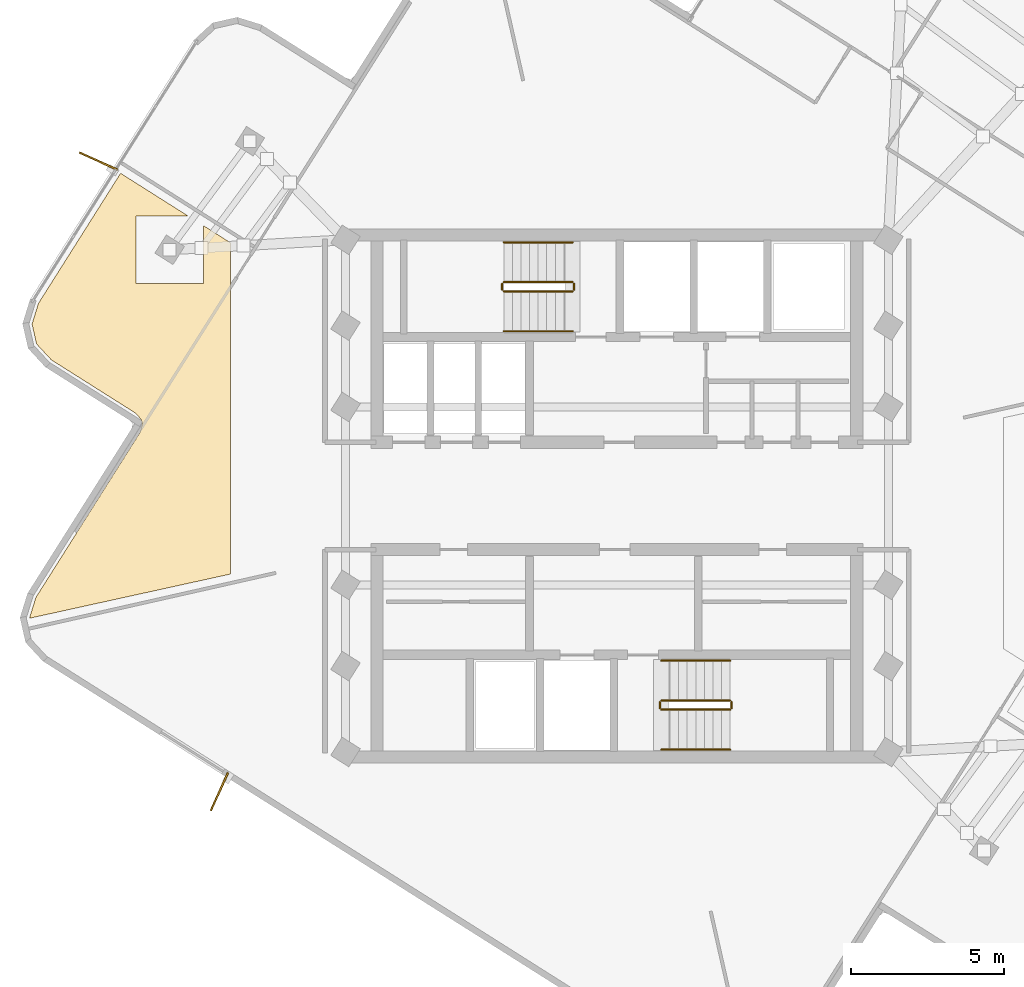
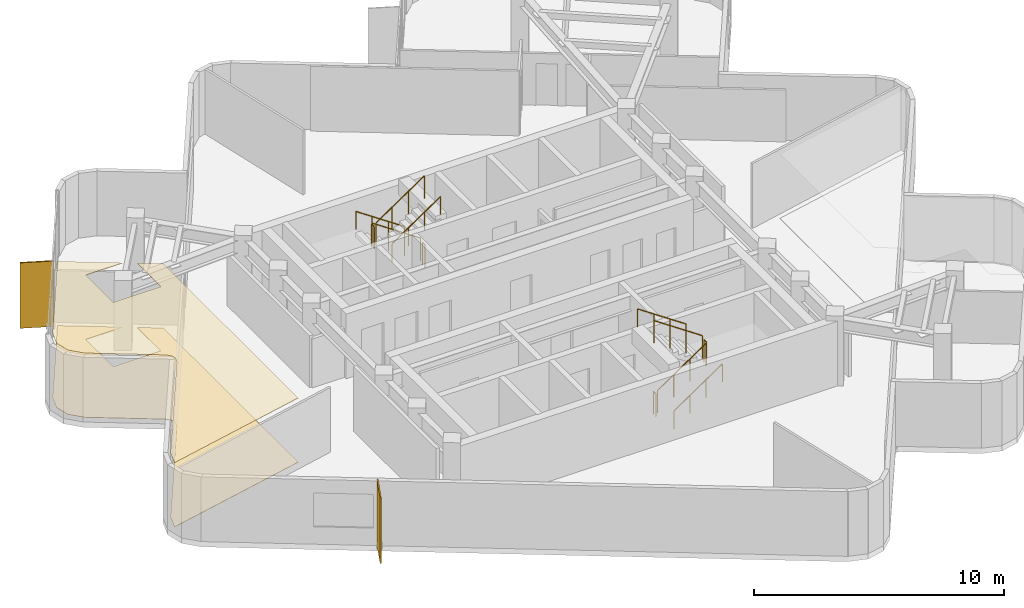
# One storey, part 9 of 10: 12 railings, 2 coverings, 2 shading devices.
"""IFC4 building model written with IfcOpenShell, lengths in metres."""

from ifc_helpers import new_model, si_unit, direction, frame, origin, origin_2d, place, context, subcontext, project, spatial, polyline, rectangle, circle, outline, extrude, material, layer, layer_set, type_object, element, save


model = new_model("IFC4")

# Units and contexts
model_context = context("Model", 3, precision=1e-05, world=origin(), true_north=direction((0.0, 1.0)))
body_context = subcontext(model_context, "Body", "Model", "MODEL_VIEW")
ifc_project = project(units=[si_unit("LENGTHUNIT", "METRE"), si_unit("AREAUNIT", "SQUARE_METRE"), si_unit("VOLUMEUNIT", "CUBIC_METRE"), si_unit("PLANEANGLEUNIT", "RADIAN"), si_unit("MASSUNIT", "GRAM", prefix="KILO")], contexts=[model_context])

# Site, building, storey
site_placement = place(None, origin())
site = spatial("IfcSite", under=ifc_project, at=site_placement, CompositionType="ELEMENT")
building_placement = place(site_placement, origin())
building = spatial("IfcBuilding", under=site, at=building_placement, Name="Solmarez Civic Tower", CompositionType="ELEMENT")
storey_placement = place(building_placement, frame((0.0, 0.0, 274.860107421875)))
storey = spatial("IfcBuildingStorey", under=building, at=storey_placement, Name="L74", CompositionType="ELEMENT", Elevation=274.860107421875)

# Coverings
ifc_material_1 = material(Name="Perforated Mineral-Fibre Acoustic Ceiling")
ifc_layer_1 = layer(ifc_material_1, 0.02490234375)
ifc_layer_set_1 = layer_set([ifc_layer_1], Name="Perforated Mineral-Fibre Acoustic Ceiling")
covering_type_1 = type_object("IfcCoveringType", Name="COV-CEIL-ACOUSTIC", PredefinedType="CEILING", material=ifc_layer_set_1)
covering_1_placement = place(storey_placement, frame((0.0, 0.0, 3.135009765625)))
element("IfcCovering", 1, at=covering_1_placement, inside=storey, type_object=covering_type_1, Name="L74 Suspended Acoustic Ceiling 1", PredefinedType="CEILING", context=body_context, shape_type="SweptSolid", body=[
    extrude(outline(polyline([(-12.60009765625, -2.547119140625), (-12.60009765625, 8.2548828125), (-13.48291015625, 8.81298828125), (-13.48291015625, 6.926025390625), (-15.68310546875, 6.926025390625), (-15.68310546875, 9.1259765625), (-13.97900390625, 9.1259765625), (-16.18408203125, 10.51904296875), (-18.860107421875, 6.282958984375), (-19.070068359375, 5.60595703125), (-18.923095703125, 4.955078125), (-18.44189453125, 4.43505859375), (-15.738037109375, 2.72607421875), (-15.73291015625, 2.722900390625), (-15.72705078125, 2.718994140625), (-15.7099609375, 2.7060546875), (-15.693115234375, 2.69189453125), (-15.68798828125, 2.68701171875), (-15.68310546875, 2.681884765625), (-15.677978515625, 2.676025390625), (-15.56103515625, 2.550048828125), (-15.552978515625, 2.541015625), (-15.548095703125, 2.534912109375), (-15.533935546875, 2.51611328125), (-15.530029296875, 2.510009765625), (-15.52197265625, 2.4970703125), (-15.51806640625, 2.489990234375), (-15.507080078125, 2.468017578125), (-15.50390625, 2.4609375), (-15.493896484375, 2.43408203125), (-15.491943359375, 2.427001953125), (-15.489990234375, 2.419921875), (-15.486083984375, 2.404052734375), (-15.48388671875, 2.386962890625), (-15.48291015625, 2.37890625), (-15.48095703125, 2.35205078125), (-15.48095703125, 2.3369140625), (-15.48291015625, 2.31005859375), (-15.48388671875, 2.302001953125), (-15.486083984375, 2.284912109375), (-15.489990234375, 2.26904296875), (-15.491943359375, 2.261962890625), (-15.493896484375, 2.257080078125), (-15.544921875, 2.093017578125), (-15.552978515625, 2.071044921875), (-15.555908203125, 2.06396484375), (-15.56103515625, 2.052978515625), (-15.56396484375, 2.047119140625), (-15.56689453125, 2.041015625), (-15.577880859375, 2.02197265625), (-18.943115234375, -3.304931640625), (-19.153076171875, -3.98095703125), (-19.152099609375, -3.988037109375), (-12.60009765625, -2.547119140625)])), origin(), (0.0, 0.0, 1.0), 0.02490234375),
])
ifc_material_2 = material(Name="Polished Tropical Stone Terrazzo Flooring", Category="masonry")
ifc_layer_2 = layer(ifc_material_2, 0.02001953125)
ifc_layer_set_2 = layer_set([ifc_layer_2], Name="Polished Tropical Stone Terrazzo Flooring")
covering_type_2 = type_object("IfcCoveringType", Name="COV-FLOOR-TERRAZZO", PredefinedType="FLOORING", material=ifc_layer_set_2)
covering_2_placement = place(storey_placement, origin())
element("IfcCovering", 2, at=covering_2_placement, inside=storey, type_object=covering_type_2, Name="L74 Terrazzo Floor Finish 1", PredefinedType="FLOORING", context=body_context, shape_type="SweptSolid", body=[
    extrude(outline(polyline([(-12.60009765625, -2.547119140625), (-12.60009765625, 8.2548828125), (-13.48291015625, 8.81298828125), (-13.48291015625, 6.926025390625), (-15.68310546875, 6.926025390625), (-15.68310546875, 9.1259765625), (-13.97900390625, 9.1259765625), (-16.18408203125, 10.51904296875), (-18.860107421875, 6.282958984375), (-19.070068359375, 5.60595703125), (-18.923095703125, 4.955078125), (-18.44189453125, 4.43505859375), (-15.738037109375, 2.72607421875), (-15.73291015625, 2.722900390625), (-15.72705078125, 2.718994140625), (-15.7099609375, 2.7060546875), (-15.693115234375, 2.69189453125), (-15.68798828125, 2.68701171875), (-15.68310546875, 2.681884765625), (-15.677978515625, 2.676025390625), (-15.56103515625, 2.550048828125), (-15.552978515625, 2.541015625), (-15.548095703125, 2.534912109375), (-15.533935546875, 2.51611328125), (-15.530029296875, 2.510009765625), (-15.52197265625, 2.4970703125), (-15.51806640625, 2.489990234375), (-15.507080078125, 2.468017578125), (-15.50390625, 2.4609375), (-15.493896484375, 2.43408203125), (-15.491943359375, 2.427001953125), (-15.489990234375, 2.419921875), (-15.486083984375, 2.404052734375), (-15.48388671875, 2.386962890625), (-15.48291015625, 2.37890625), (-15.48095703125, 2.35205078125), (-15.48095703125, 2.3369140625), (-15.48291015625, 2.31005859375), (-15.48388671875, 2.302001953125), (-15.486083984375, 2.284912109375), (-15.489990234375, 2.26904296875), (-15.491943359375, 2.261962890625), (-15.493896484375, 2.257080078125), (-15.544921875, 2.093017578125), (-15.552978515625, 2.071044921875), (-15.555908203125, 2.06396484375), (-15.56103515625, 2.052978515625), (-15.56396484375, 2.047119140625), (-15.56689453125, 2.041015625), (-15.577880859375, 2.02197265625), (-18.943115234375, -3.304931640625), (-19.153076171875, -3.98095703125), (-19.152099609375, -3.988037109375), (-12.60009765625, -2.547119140625)])), origin(), (0.0, 0.0, 1.0), 0.019775390625),
])

# Shading devices
ifc_material_3 = material(Name="Bronze Anodised Aluminium EN AW-6063 T6", Category="aluminium")
ifc_layer_3 = layer(ifc_material_3, 0.054931640625)
ifc_layer_set_3 = layer_set([ifc_layer_3], Name="Bronze Anodised Aluminium EN AW-6063 T6")
shading_device_type = type_object("IfcShadingDeviceType", Name="FIN-BRONZE-Z56", PredefinedType="USERDEFINED", material=ifc_layer_set_3)
for number, where, z_axis, x_axis, name in (
    (3, (-12.9619140625, -9.64306640625, -0.0400390625), (0.0, 0.0, 1.0), (-0.411959705112, -0.911202063959, 0.0), "L74 Anodised Bronze Solar Fin FIN-L74-01"),
    (4, (-16.907958984375, 10.9169921875, -0.0400390625), (0.0, 0.0, 1.0), (-0.911180492551, 0.412007414976, 0.0), "L74 Anodised Bronze Solar Fin FIN-L74-02"),
):
    element("IfcShadingDevice", number, at=place(storey_placement, frame(where, z_axis=z_axis, x_axis=x_axis)), inside=storey, type_object=shading_device_type, Name=name, ObjectType="FIN", PredefinedType="USERDEFINED", context=body_context, shape_type="SweptSolid", body=[
        extrude(rectangle(XDim=1.35009765625, YDim=0.054931640625, at=origin_2d()), origin(), (0.0, 0.0, 1.0), 3.199951171875),
    ])

# Railings
ifc_material_4 = material(Name="Painted Steel Stairwell Safety Guard", Category="steel")
railing_type_1 = type_object("IfcRailingType", Name="GUARD-STAIR-1120", PredefinedType="BALUSTRADE", material=ifc_material_4)
railing_1_placement = place(storey_placement, frame((-1.449951171875, 6.969970703125, 0.18994140625)))
element("IfcRailing", 5, at=railing_1_placement, inside=storey, type_object=railing_type_1, Name="L74 ST-1 stair guard 1", PredefinedType="BALUSTRADE", context=body_context, shape_type="SweptSolid", body=[
    extrude(circle(Radius=0.02392578125, at=origin_2d()), frame((0.0, 0.0, 1.09619140625), z_axis=(-0.827471284677, 0.0, 0.561508034703), x_axis=(0.0, -1.0, 0.0)), (0.0, 0.0, 1.0), 2.70703125),
    extrude(circle(Radius=0.02099609375, at=origin_2d()), origin(), (0.0, 0.0, 1.0), 1.072021484375),
    extrude(circle(Radius=0.02099609375, at=origin_2d()), frame((-0.74658203125, 0.0, 0.506591796875)), (0.0, 0.0, 1.0), 1.072021484375),
    extrude(circle(Radius=0.02099609375, at=origin_2d()), frame((-1.493408203125, 0.0, 1.013427734375)), (0.0, 0.0, 1.0), 1.072021484375),
    extrude(circle(Radius=0.02099609375, at=origin_2d()), frame((-2.239990234375, 0.0, 1.52001953125)), (0.0, 0.0, 1.0), 1.072021484375),
])
railing_2_placement = place(storey_placement, frame((-3.739990234375, 6.919921875, 1.7099609375)))
element("IfcRailing", 6, at=railing_2_placement, inside=storey, type_object=railing_type_1, Name="L74 ST-1 stair guard 2", PredefinedType="BALUSTRADE", context=body_context, shape_type="SweptSolid", body=[
    extrude(circle(Radius=0.02392578125, at=origin_2d()), frame((0.0, 0.0, 1.09619140625), z_axis=(0.0, -1.0, 0.0), x_axis=(1.0, 0.0, 0.0)), (0.0, 0.0, 1.0), 0.199951171875),
    extrude(circle(Radius=0.02099609375, at=origin_2d()), origin(), (0.0, 0.0, 1.0), 1.072021484375),
    extrude(circle(Radius=0.02099609375, at=origin_2d()), frame((0.0, -0.199951171875, 0.0)), (0.0, 0.0, 1.0), 1.072021484375),
])
railing_3_placement = place(storey_placement, frame((-3.68994140625, 6.669921875, 1.89990234375)))
element("IfcRailing", 7, at=railing_3_placement, inside=storey, type_object=railing_type_1, Name="L74 ST-1 stair guard 3", PredefinedType="BALUSTRADE", context=body_context, shape_type="SweptSolid", body=[
    extrude(circle(Radius=0.02392578125, at=origin_2d()), frame((0.0, 0.0, 1.09619140625), z_axis=(0.827471284677, 0.0, 0.561508034703), x_axis=(0.0, 1.0, 0.0)), (0.0, 0.0, 1.0), 2.70703125),
    extrude(circle(Radius=0.02099609375, at=origin_2d()), origin(), (0.0, 0.0, 1.0), 1.072021484375),
    extrude(circle(Radius=0.02099609375, at=origin_2d()), frame((0.74658203125, 0.0, 0.506591796875)), (0.0, 0.0, 1.0), 1.072021484375),
    extrude(circle(Radius=0.02099609375, at=origin_2d()), frame((1.493408203125, 0.0, 1.013427734375)), (0.0, 0.0, 1.0), 1.072021484375),
    extrude(circle(Radius=0.02099609375, at=origin_2d()), frame((2.239990234375, 0.0, 1.52001953125)), (0.0, 0.0, 1.0), 1.072021484375),
])
railing_4_placement = place(storey_placement, frame((-1.39990234375, 6.919921875, 0.0)))
element("IfcRailing", 8, at=railing_4_placement, inside=storey, type_object=railing_type_1, Name="L74 ST-1 stair guard 4", PredefinedType="BALUSTRADE", context=body_context, shape_type="SweptSolid", body=[
    extrude(circle(Radius=0.02392578125, at=origin_2d()), frame((0.0, 0.0, 1.09619140625), z_axis=(0.0, -1.0, 0.0), x_axis=(1.0, 0.0, 0.0)), (0.0, 0.0, 1.0), 0.199951171875),
    extrude(circle(Radius=0.02099609375, at=origin_2d()), origin(), (0.0, 0.0, 1.0), 1.072021484375),
    extrude(circle(Radius=0.02099609375, at=origin_2d()), frame((0.0, -0.199951171875, 0.0)), (0.0, 0.0, 1.0), 1.072021484375),
])
railing_5_placement = place(storey_placement, frame((1.449951171875, -6.969970703125, 0.18994140625)))
element("IfcRailing", 9, at=railing_5_placement, inside=storey, type_object=railing_type_1, Name="L74 ST-2 stair guard 1", PredefinedType="BALUSTRADE", context=body_context, shape_type="SweptSolid", body=[
    extrude(circle(Radius=0.02392578125, at=origin_2d()), frame((0.0, 0.0, 1.09619140625), z_axis=(0.827471284677, 0.0, 0.561508034703), x_axis=(0.0, 1.0, 0.0)), (0.0, 0.0, 1.0), 2.70703125),
    extrude(circle(Radius=0.02099609375, at=origin_2d()), origin(), (0.0, 0.0, 1.0), 1.072021484375),
    extrude(circle(Radius=0.02099609375, at=origin_2d()), frame((0.74658203125, 0.0, 0.506591796875)), (0.0, 0.0, 1.0), 1.072021484375),
    extrude(circle(Radius=0.02099609375, at=origin_2d()), frame((1.493408203125, 0.0, 1.013427734375)), (0.0, 0.0, 1.0), 1.072021484375),
    extrude(circle(Radius=0.02099609375, at=origin_2d()), frame((2.239990234375, 0.0, 1.52001953125)), (0.0, 0.0, 1.0), 1.072021484375),
])
railing_6_placement = place(storey_placement, frame((3.739990234375, -6.919921875, 1.7099609375)))
element("IfcRailing", 10, at=railing_6_placement, inside=storey, type_object=railing_type_1, Name="L74 ST-2 stair guard 2", PredefinedType="BALUSTRADE", context=body_context, shape_type="SweptSolid", body=[
    extrude(circle(Radius=0.02392578125, at=origin_2d()), frame((0.0, 0.0, 1.09619140625), z_axis=(0.0, 1.0, 0.0), x_axis=(-1.0, 0.0, 0.0)), (0.0, 0.0, 1.0), 0.199951171875),
    extrude(circle(Radius=0.02099609375, at=origin_2d()), origin(), (0.0, 0.0, 1.0), 1.072021484375),
    extrude(circle(Radius=0.02099609375, at=origin_2d()), frame((0.0, 0.199951171875, 0.0)), (0.0, 0.0, 1.0), 1.072021484375),
])
railing_7_placement = place(storey_placement, frame((3.68994140625, -6.669921875, 1.89990234375)))
element("IfcRailing", 11, at=railing_7_placement, inside=storey, type_object=railing_type_1, Name="L74 ST-2 stair guard 3", PredefinedType="BALUSTRADE", context=body_context, shape_type="SweptSolid", body=[
    extrude(circle(Radius=0.02392578125, at=origin_2d()), frame((0.0, 0.0, 1.09619140625), z_axis=(-0.827471284677, 0.0, 0.561508034703), x_axis=(0.0, -1.0, 0.0)), (0.0, 0.0, 1.0), 2.70703125),
    extrude(circle(Radius=0.02099609375, at=origin_2d()), origin(), (0.0, 0.0, 1.0), 1.072021484375),
    extrude(circle(Radius=0.02099609375, at=origin_2d()), frame((-0.74658203125, 0.0, 0.506591796875)), (0.0, 0.0, 1.0), 1.072021484375),
    extrude(circle(Radius=0.02099609375, at=origin_2d()), frame((-1.493408203125, 0.0, 1.013427734375)), (0.0, 0.0, 1.0), 1.072021484375),
    extrude(circle(Radius=0.02099609375, at=origin_2d()), frame((-2.239990234375, 0.0, 1.52001953125)), (0.0, 0.0, 1.0), 1.072021484375),
])
railing_8_placement = place(storey_placement, frame((1.39990234375, -6.919921875, 0.0)))
element("IfcRailing", 12, at=railing_8_placement, inside=storey, type_object=railing_type_1, Name="L74 ST-2 stair guard 4", PredefinedType="BALUSTRADE", context=body_context, shape_type="SweptSolid", body=[
    extrude(circle(Radius=0.02392578125, at=origin_2d()), frame((0.0, 0.0, 1.09619140625), z_axis=(0.0, 1.0, 0.0), x_axis=(-1.0, 0.0, 0.0)), (0.0, 0.0, 1.0), 0.199951171875),
    extrude(circle(Radius=0.02099609375, at=origin_2d()), origin(), (0.0, 0.0, 1.0), 1.072021484375),
    extrude(circle(Radius=0.02099609375, at=origin_2d()), frame((0.0, 0.199951171875, 0.0)), (0.0, 0.0, 1.0), 1.072021484375),
])
ifc_material_5 = material(Name="Brushed Stainless Steel Tube Handrail", Category="steel")
railing_type_2 = type_object("IfcRailingType", Name="HANDRAIL-STAIR-900", PredefinedType="HANDRAIL", material=ifc_material_5)
railing_9_placement = place(storey_placement, frame((-1.449951171875, 8.27001953125, 0.18994140625)))
element("IfcRailing", 13, at=railing_9_placement, inside=storey, type_object=railing_type_2, Name="L74 ST-1 stair handrail 1", PredefinedType="HANDRAIL", context=body_context, shape_type="SweptSolid", body=[
    extrude(circle(Radius=0.02392578125, at=origin_2d()), frame((0.0, 0.0, 0.8759765625), z_axis=(-0.827471284677, 0.0, 0.561508034703), x_axis=(0.0, -1.0, 0.0)), (0.0, 0.0, 1.0), 2.70703125),
    extrude(circle(Radius=0.02099609375, at=origin_2d()), origin(), (0.0, 0.0, 1.0), 0.851806640625),
    extrude(circle(Radius=0.02099609375, at=origin_2d()), frame((-0.74658203125, 0.0, 0.506591796875)), (0.0, 0.0, 1.0), 0.851806640625),
    extrude(circle(Radius=0.02099609375, at=origin_2d()), frame((-1.493408203125, 0.0, 1.013427734375)), (0.0, 0.0, 1.0), 0.851806640625),
    extrude(circle(Radius=0.02099609375, at=origin_2d()), frame((-2.239990234375, 0.0, 1.52001953125)), (0.0, 0.0, 1.0), 0.851806640625),
])
for number, where, name in (
    (14, (-3.68994140625, 5.3701171875, 1.89990234375), "L74 ST-1 stair handrail 2"),
    (15, (1.449951171875, -8.27001953125, 0.18994140625), "L74 ST-2 stair handrail 1"),
):
    element("IfcRailing", number, at=place(storey_placement, frame(where)), inside=storey, type_object=railing_type_2, Name=name, PredefinedType="HANDRAIL", context=body_context, shape_type="SweptSolid", body=[
        extrude(circle(Radius=0.02392578125, at=origin_2d()), frame((0.0, 0.0, 0.8759765625), z_axis=(0.827471284677, 0.0, 0.561508034703), x_axis=(0.0, 1.0, 0.0)), (0.0, 0.0, 1.0), 2.70703125),
        extrude(circle(Radius=0.02099609375, at=origin_2d()), origin(), (0.0, 0.0, 1.0), 0.851806640625),
        extrude(circle(Radius=0.02099609375, at=origin_2d()), frame((0.74658203125, 0.0, 0.506591796875)), (0.0, 0.0, 1.0), 0.851806640625),
        extrude(circle(Radius=0.02099609375, at=origin_2d()), frame((1.493408203125, 0.0, 1.013427734375)), (0.0, 0.0, 1.0), 0.851806640625),
        extrude(circle(Radius=0.02099609375, at=origin_2d()), frame((2.239990234375, 0.0, 1.52001953125)), (0.0, 0.0, 1.0), 0.851806640625),
    ])
railing_10_placement = place(storey_placement, frame((3.68994140625, -5.3701171875, 1.89990234375)))
element("IfcRailing", 16, at=railing_10_placement, inside=storey, type_object=railing_type_2, Name="L74 ST-2 stair handrail 2", PredefinedType="HANDRAIL", context=body_context, shape_type="SweptSolid", body=[
    extrude(circle(Radius=0.02392578125, at=origin_2d()), frame((0.0, 0.0, 0.8759765625), z_axis=(-0.827471284677, 0.0, 0.561508034703), x_axis=(0.0, -1.0, 0.0)), (0.0, 0.0, 1.0), 2.70703125),
    extrude(circle(Radius=0.02099609375, at=origin_2d()), origin(), (0.0, 0.0, 1.0), 0.851806640625),
    extrude(circle(Radius=0.02099609375, at=origin_2d()), frame((-0.74658203125, 0.0, 0.506591796875)), (0.0, 0.0, 1.0), 0.851806640625),
    extrude(circle(Radius=0.02099609375, at=origin_2d()), frame((-1.493408203125, 0.0, 1.013427734375)), (0.0, 0.0, 1.0), 0.851806640625),
    extrude(circle(Radius=0.02099609375, at=origin_2d()), frame((-2.239990234375, 0.0, 1.52001953125)), (0.0, 0.0, 1.0), 0.851806640625),
])

save(model, "model.ifc")
